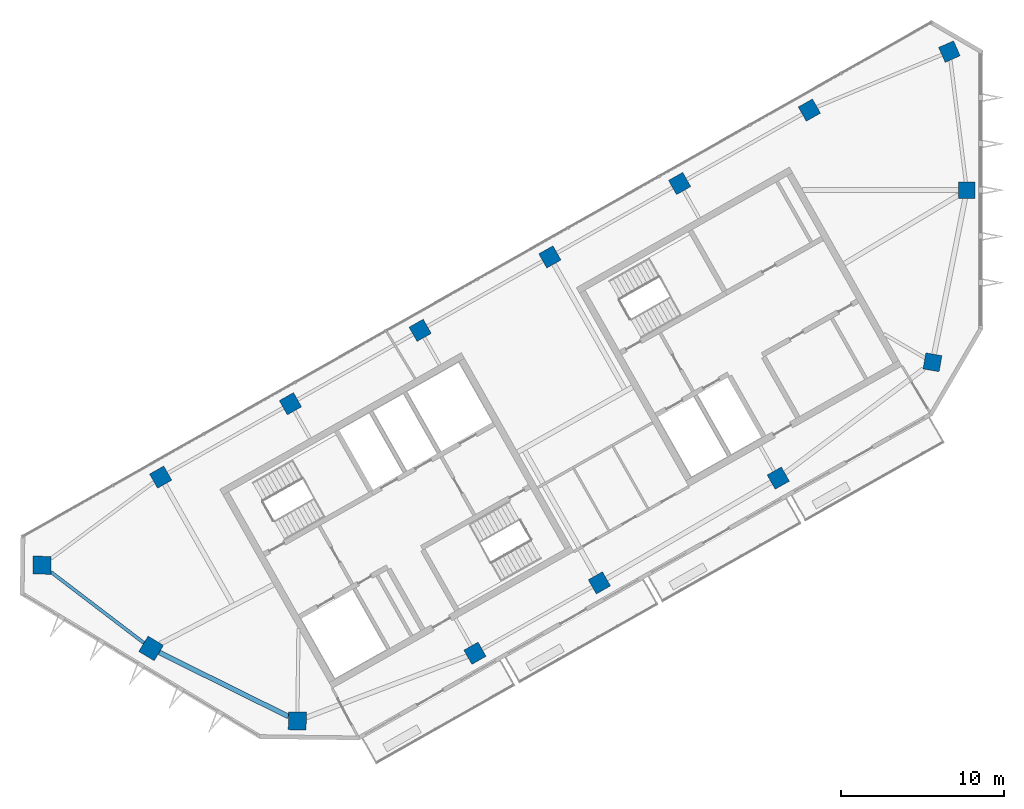
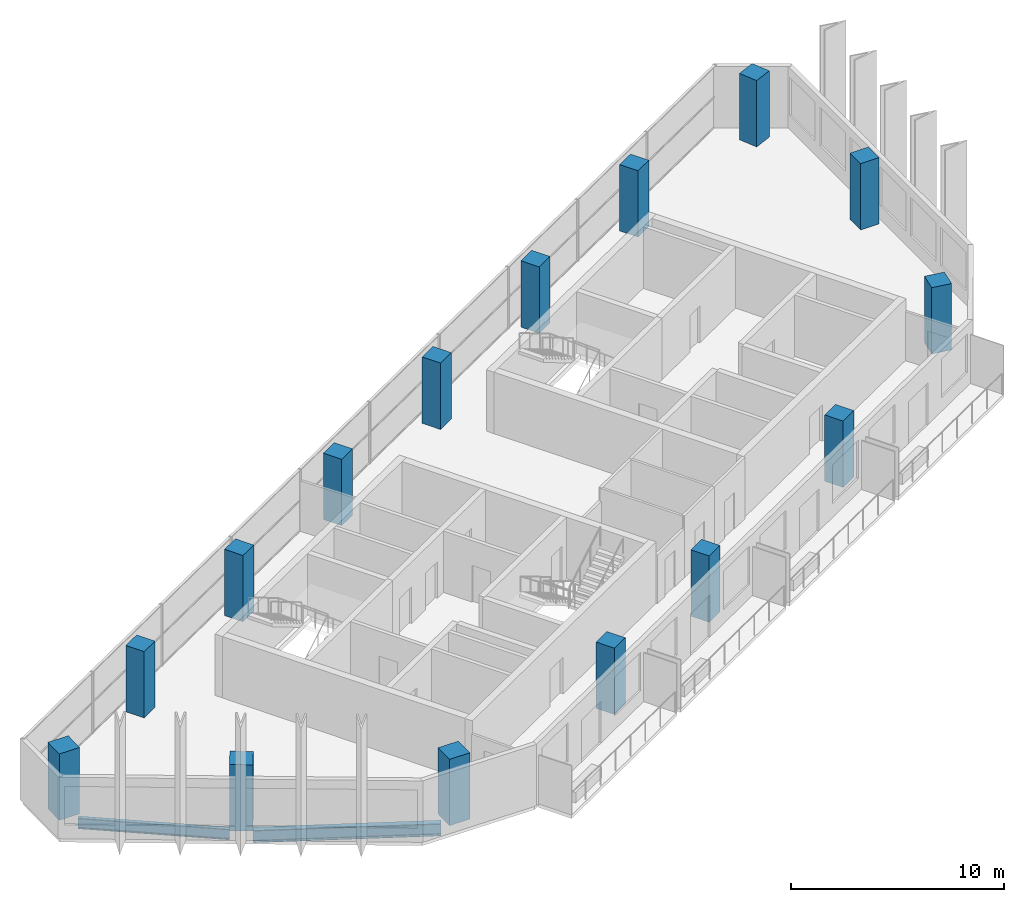
# One storey, part 1 of 10: 15 columns, 2 beams.
"""IFC4 building model written with IfcOpenShell, lengths in metres."""

from ifc_helpers import new_model, si_unit, direction, frame, origin, origin_2d, place, context, subcontext, project, spatial, rectangle, i_section, extrude, material, material_profile, profile_set, type_object, element, save


model = new_model("IFC4")

# Units and contexts
model_context = context("Model", 3, precision=1e-05, world=origin(), true_north=direction((0.0, 1.0)))
body_context = subcontext(model_context, "Body", "Model", "MODEL_VIEW")
ifc_project = project(units=[si_unit("LENGTHUNIT", "METRE"), si_unit("AREAUNIT", "SQUARE_METRE"), si_unit("VOLUMEUNIT", "CUBIC_METRE"), si_unit("PLANEANGLEUNIT", "RADIAN"), si_unit("MASSUNIT", "GRAM", prefix="KILO")], contexts=[model_context])

# Site, building, storey
site_placement = place(None, origin())
site = spatial("IfcSite", under=ifc_project, at=site_placement, CompositionType="ELEMENT")
building_placement = place(site_placement, origin())
building = spatial("IfcBuilding", under=site, at=building_placement, Name="Binnacle Exchange Tower", CompositionType="ELEMENT")
storey_placement = place(building_placement, frame((0.0, 0.0, 331.699951171875)))
storey = spatial("IfcBuildingStorey", under=building, at=storey_placement, Name="L75", CompositionType="ELEMENT", Elevation=331.699951171875)

# Columns
ifc_material_1 = material(Name="Concrete C50/60", Category="concrete")
ifc_material_profile_1 = material_profile(ifc_material_1, rectangle(XDim=1.0, YDim=1.0, at=origin_2d()), Name="Mega column 1000x1000 C50/60")
ifc_profile_set_1 = profile_set([ifc_material_profile_1], Name="Concrete C50/60")
column_type_1 = type_object("IfcColumnType", Name="Mega column 1000x1000 C50/60", PredefinedType="COLUMN", material=ifc_profile_set_1)
for number, where, z_axis, x_axis, name in (
    (1, (-10.4951171875, 64.901611328125, 0.0), (0.0, 0.0, 1.0), (-0.87035569594, -0.492423560103, 0.0), "S:COL:MC38:L75"),
    (2, (-18.44140625, 60.406005859375, 0.0), (0.0, 0.0, 1.0), (-0.87035569594, -0.492423560103, 0.0), "S:COL:MC29:L75"),
    (3, (-26.3876953125, 55.91015625, 0.0), (0.0, 0.0, 1.0), (-0.87035569594, -0.492423560103, 0.0), "S:COL:MC21:L75"),
    (4, (-34.333740234375, 51.414306640625, 0.0), (0.0, 0.0, 1.0), (-0.87035569594, -0.492423560103, 0.0), "S:COL:MC13:L75"),
    (5, (-42.280029296875, 46.918701171875, 0.0), (0.0, 0.0, 1.0), (-0.87035569594, -0.492423560103, 0.0), "S:COL:MC08:L75"),
    (6, (-50.226318359375, 42.4228515625, 0.0), (0.0, 0.0, 1.0), (-0.87035569594, -0.492423560103, 0.0), "S:COL:MC04:L75"),
    (7, (-30.9755859375, 31.63525390625, 0.0), (0.0, 0.0, 1.0), (0.87035569594, 0.492423560103, 0.0), "S:COL:MC07:L75"),
    (8, (-23.35595703125, 35.9462890625, 0.0), (0.0, 0.0, 1.0), (0.87035569594, 0.492423560103, 0.0), "S:COL:MC16:L75"),
    (9, (-2.955322265625, 49.45556640625, 0.0), (0.0, 0.0, 1.0), (-0.98522612636, 0.171258517854, 0.0), "S:COL:MC43:L75"),
    (10, (-0.85009765625, 60.0, 0.0), (0.0, 0.0, 1.0), (0.0, 1.0, 0.0), "S:COL:MC45:L75"),
    (11, (-1.920166015625, 68.4833984375, 0.0), (0.0, 0.0, 1.0), (-0.91471298536, -0.40410413808, 0.0), "S:COL:MC44:L75"),
    (12, (-12.39990234375, 42.36328125, 0.0), (0.0, 0.0, 1.0), (0.87035569594, 0.492423560103, 0.0), "S:COL:MC30:L75"),
):
    element("IfcColumn", number, at=place(storey_placement, frame(where, z_axis=z_axis, x_axis=x_axis)), inside=storey, type_object=column_type_1, Name=name, PredefinedType="COLUMN", context=body_context, shape_type="SweptSolid", body=[
        extrude(rectangle(XDim=1.0, YDim=1.0, at=origin_2d()), origin(), (0.0, 0.0, 1.0), 3.800048828125),
    ])
ifc_material_profile_2 = material_profile(ifc_material_1, rectangle(XDim=1.10009765625, YDim=1.10009765625, at=origin_2d()), Name="Mega column 1100x1100 C50/60")
ifc_profile_set_2 = profile_set([ifc_material_profile_2], Name="Concrete C50/60")
column_type_2 = type_object("IfcColumnType", Name="Mega column 1100x1100 C50/60", PredefinedType="COLUMN", material=ifc_profile_set_2)
for number, where, z_axis, x_axis, name in (
    (13, (-57.492919921875, 37.02734375, 0.0), (0.0, 0.0, 1.0), (-0.013089595571, -0.999914327574, 0.0), "S:COL:MC02:L75"),
    (14, (-50.81201171875, 31.930908203125, 0.0), (0.0, 0.0, 1.0), (0.857167300702, -0.51503807491, 0.0), "S:COL:MC01:L75"),
    (15, (-41.857666015625, 27.494873046875, 0.0), (0.0, 0.0, 1.0), (0.999914327574, -0.013089595571, 0.0), "S:COL:MC03:L75"),
):
    element("IfcColumn", number, at=place(storey_placement, frame(where, z_axis=z_axis, x_axis=x_axis)), inside=storey, type_object=column_type_2, Name=name, PredefinedType="COLUMN", context=body_context, shape_type="SweptSolid", body=[
        extrude(rectangle(XDim=1.10009765625, YDim=1.10009765625, at=origin_2d()), origin(), (0.0, 0.0, 1.0), 3.800048828125),
    ])

# Beams
ifc_material_2 = material(Name="Steel S355 (SHN355)", Category="steel")
ifc_material_profile_3 = material_profile(ifc_material_2, i_section(OverallWidth=0.199951171875, OverallDepth=0.60009765625, WebThickness=0.010986328125, FlangeThickness=0.01708984375, FilletRadius=0.02197265625, at=origin_2d()), Name="H 600x200x11x17")
ifc_profile_set_3 = profile_set([ifc_material_profile_3], Name="Steel S355 (SHN355)")
beam_type_1 = type_object("IfcBeamType", Name="Edge girder H 600x200x11x17 Steel S355 (SHN355)", PredefinedType="SPANDREL", material=ifc_profile_set_3)
beam_1_placement = place(storey_placement, frame((-56.948486328125, 36.612060546875, -0.579833984375), z_axis=(0.795078805768, -0.606506135681, 0.0), x_axis=(0.606506135681, 0.795078805768, 0.0)))
element("IfcBeam", 16, at=beam_1_placement, inside=storey, type_object=beam_type_1, Name="S:BM:edge:L75:004", PredefinedType="SPANDREL", context=body_context, shape_type="SweptSolid", body=[
    extrude(i_section(OverallWidth=0.199951171875, OverallDepth=0.60009765625, WebThickness=0.010986328125, FlangeThickness=0.01708984375, FilletRadius=0.02197265625, at=origin_2d()), origin(), (0.0, 0.0, 1.0), 7.164794921875),
])
ifc_material_profile_4 = material_profile(ifc_material_2, i_section(OverallWidth=0.300048828125, OverallDepth=0.699951171875, WebThickness=0.012939453125, FlangeThickness=0.02392578125, FilletRadius=0.028076171875, at=origin_2d()), Name="H 700x300x13x24")
ifc_profile_set_4 = profile_set([ifc_material_profile_4], Name="Steel S355 (SHN355)")
beam_type_2 = type_object("IfcBeamType", Name="Edge girder H 700x300x13x24 Steel S355 (SHN355)", PredefinedType="SPANDREL", material=ifc_profile_set_4)
beam_2_placement = place(storey_placement, frame((-50.3173828125, 31.685791015625, -0.6298828125), z_axis=(0.896057836822, -0.443937330115, 0.0), x_axis=(0.443937330115, 0.896057836822, 0.0)))
element("IfcBeam", 17, at=beam_2_placement, inside=storey, type_object=beam_type_2, Name="S:BM:edge:L75:006", PredefinedType="SPANDREL", context=body_context, shape_type="SweptSolid", body=[
    extrude(i_section(OverallWidth=0.300048828125, OverallDepth=0.699951171875, WebThickness=0.012939453125, FlangeThickness=0.02392578125, FilletRadius=0.028076171875, at=origin_2d()), origin(), (0.0, 0.0, 1.0), 8.8310546875),
])

save(model, "model.ifc")
